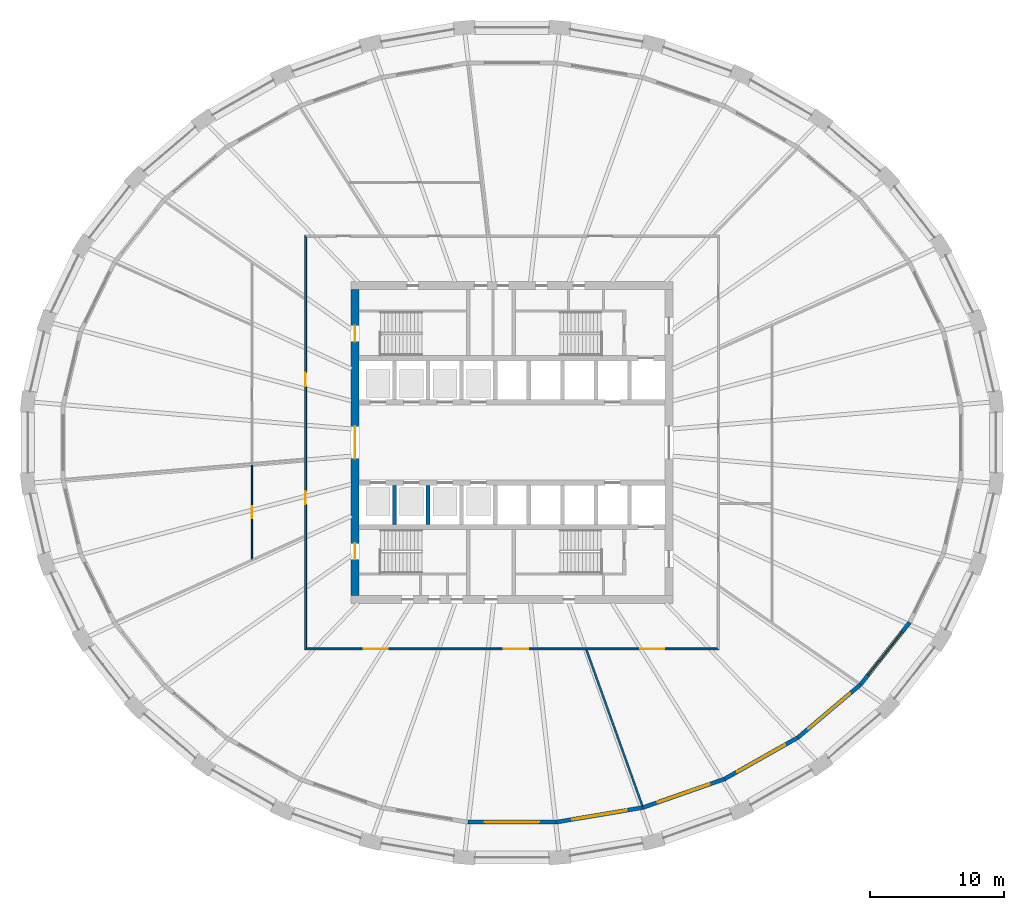
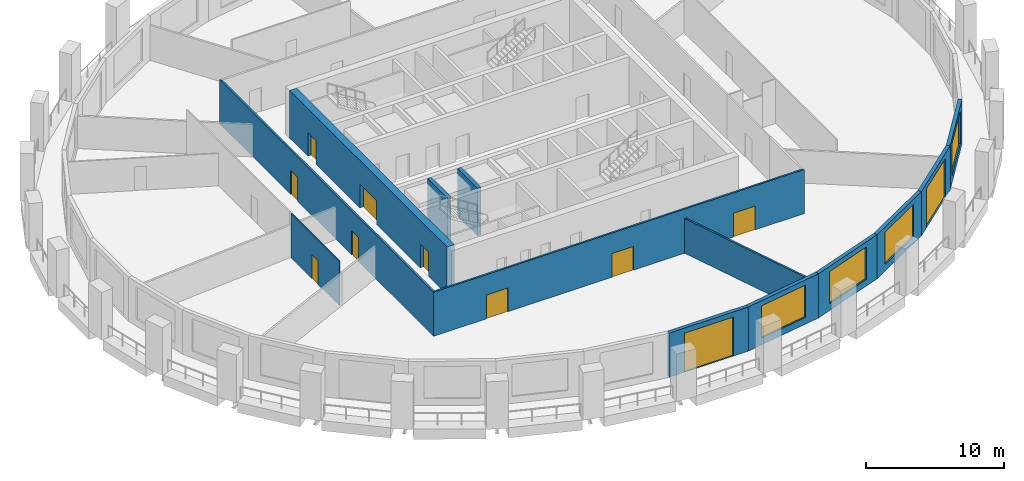
# One storey, part 3 of 10: 13 walls, 11 doors, 4 windows, 15 openings.
"""IFC4 building model written with IfcOpenShell, lengths in metres."""

from ifc_helpers import new_model, si_unit, direction, frame, frame_2d, origin, place, context, subcontext, project, spatial, polyline, rectangle, outline, extrude, material, layer, layer_set, type_object, element, fill, save


model = new_model("IFC4")

# Units and contexts
model_context = context("Model", 3, precision=1e-05, world=origin(), true_north=direction((0.0, 1.0)))
body_context = subcontext(model_context, "Body", "Model", "MODEL_VIEW")
ifc_project = project(units=[si_unit("LENGTHUNIT", "METRE"), si_unit("AREAUNIT", "SQUARE_METRE"), si_unit("VOLUMEUNIT", "CUBIC_METRE"), si_unit("PLANEANGLEUNIT", "RADIAN"), si_unit("MASSUNIT", "GRAM", prefix="KILO")], contexts=[model_context])

# Site, building, storey
site_placement = place(None, origin())
site = spatial("IfcSite", under=ifc_project, at=site_placement, CompositionType="ELEMENT")
building_placement = place(site_placement, origin())
building = spatial("IfcBuilding", under=site, at=building_placement, Name="Halqa Exchange Tower", CompositionType="ELEMENT")
storey_placement = place(building_placement, frame((0.0, 0.0, 90.699951171875)))
storey = spatial("IfcBuildingStorey", under=building, at=storey_placement, Name="L20", CompositionType="ELEMENT", Elevation=90.699951171875)

# Wall, openings, doors
ifc_material_1 = material(Name="Fire-rated gypsum board")
ifc_layer_1 = layer(ifc_material_1, 0.14990234375)
ifc_layer_set_1 = layer_set([ifc_layer_1], Name="Fire-rated gypsum board")
wall_type_1 = type_object("IfcWallType", Name="Fire partition EI 60 150", PredefinedType="PARTITIONING", material=ifc_layer_set_1)
wall_1_placement = place(storey_placement, frame((-15.39990234375, -15.47509765625, 0.0), z_axis=(0.0, 0.0, 1.0), x_axis=(0.0, 1.0, 0.0)))
wall_1 = element("IfcWall", 1, at=wall_1_placement, inside=storey, type_object=wall_type_1, Name="L20-PWL-009", PredefinedType="PARTITIONING", context=body_context, shape_type="SweptSolid", body=[
    extrude(outline(polyline([(0.150146484375, -0.074951171875), (2.065673828125, -0.074951171875), (3.9814453125, -0.074951171875), (5.89697265625, -0.074951171875), (7.8125, -0.074951171875), (9.728271484375, -0.074951171875), (11.643798828125, -0.074951171875), (13.5595703125, -0.074951171875), (15.47509765625, -0.074951171875), (17.390625, -0.074951171875), (19.306396484375, -0.074951171875), (21.221923828125, -0.074951171875), (23.1376953125, -0.074951171875), (25.05322265625, -0.074951171875), (26.96875, -0.074951171875), (28.884521484375, -0.074951171875), (30.800048828125, -0.074951171875), (30.949951171875, 0.074951171875), (29.015625, 0.074951171875), (27.081298828125, 0.074951171875), (25.14697265625, 0.074951171875), (23.21240234375, 0.074951171875), (21.278076171875, 0.074951171875), (19.34375, 0.074951171875), (17.409423828125, 0.074951171875), (15.47509765625, 0.074951171875), (13.540771484375, 0.074951171875), (11.6064453125, 0.074951171875), (9.672119140625, 0.074951171875), (7.73779296875, 0.074951171875), (5.80322265625, 0.074951171875), (3.868896484375, 0.074951171875), (1.9345703125, 0.074951171875), (0.000244140625, 0.074951171875), (0.150146484375, -0.074951171875)])), origin(), (0.0, 0.0, 1.0), 3.900146484375),
])
opening_1_placement = place(wall_1_placement, frame((19.675048828125, 0.0, 0.0)))
opening_1 = element("IfcOpeningElement", 2, at=opening_1_placement, cuts=wall_1, Name="Opening 06-07", PredefinedType="OPENING", context=body_context, shape_type="SweptSolid", body=[
    extrude(rectangle(XDim=1.0, YDim=2.10009765625, at=frame_2d((0.5, 1.050048828125))), frame((0.0, 0.0869140625, 0.0), z_axis=(0.0, -1.0, 0.0), x_axis=(1.0, 0.0, 0.0)), (0.0, 0.0, 1.0), 0.173828125),
])
opening_2_placement = place(wall_1_placement, frame((10.85498046875, 0.0, 0.0)))
opening_2 = element("IfcOpeningElement", 3, at=opening_2_placement, cuts=wall_1, Name="Opening 06-08", PredefinedType="OPENING", context=body_context, shape_type="SweptSolid", body=[
    extrude(rectangle(XDim=1.0, YDim=2.10009765625, at=frame_2d((0.5, 1.050048828125))), frame((0.0, 0.0869140625, 0.0), z_axis=(0.0, -1.0, 0.0), x_axis=(1.0, 0.0, 0.0)), (0.0, 0.0, 1.0), 0.173828125),
])
ifc_material_2 = material(Name="Steel fire door leaf", Category="steel")
door_type_1 = type_object("IfcDoorType", Name="Fire door FD30S 1000 x 2100", OperationType="SINGLE_SWING_LEFT", PredefinedType="DOOR", material=ifc_material_2)
door_1_placement = place(opening_1_placement, origin())
door_1 = element("IfcDoor", 4, at=door_1_placement, inside=storey, type_object=door_type_1, Name="L20-IDR-007", OperationType="SINGLE_SWING_LEFT", OverallHeight=2.10009765625, OverallWidth=1.0, PredefinedType="DOOR", context=body_context, shape_type="SweptSolid", body=[
    extrude(rectangle(XDim=1.0, YDim=2.10009765625, at=frame_2d((0.5, 1.050048828125))), frame((0.0, 0.02490234375, 0.0), z_axis=(0.0, -1.0, 0.0), x_axis=(1.0, 0.0, 0.0)), (0.0, 0.0, 1.0), 0.050048828125),
])
fill(opening_1, door_1)
door_2_placement = place(opening_2_placement, origin())
door_2 = element("IfcDoor", 5, at=door_2_placement, inside=storey, type_object=door_type_1, Name="L20-IDR-008", OperationType="SINGLE_SWING_RIGHT", OverallHeight=2.10009765625, OverallWidth=1.0, PredefinedType="DOOR", context=body_context, shape_type="SweptSolid", body=[
    extrude(rectangle(XDim=1.0, YDim=2.10009765625, at=frame_2d((0.5, 1.050048828125))), frame((0.0, 0.02490234375, 0.0), z_axis=(0.0, -1.0, 0.0), x_axis=(1.0, 0.0, 0.0)), (0.0, 0.0, 1.0), 0.050048828125),
])
fill(opening_2, door_2)

wall_2_placement = place(storey_placement, frame((-15.47509765625, -15.39990234375, 0.0), z_axis=(0.0, 0.0, 1.0), x_axis=(1.0, 0.0, 0.0)))
wall_2 = element("IfcWall", 6, at=wall_2_placement, inside=storey, type_object=wall_type_1, Name="L20-PWL-010", PredefinedType="PARTITIONING", context=body_context, shape_type="SweptSolid", body=[
    extrude(outline(polyline([(0.000244140625, -0.074951171875), (1.9345703125, -0.074951171875), (3.868896484375, -0.074951171875), (5.80322265625, -0.074951171875), (7.73779296875, -0.074951171875), (9.672119140625, -0.074951171875), (11.6064453125, -0.074951171875), (13.540771484375, -0.074951171875), (15.47509765625, -0.074951171875), (17.409423828125, -0.074951171875), (19.34375, -0.074951171875), (21.278076171875, -0.074951171875), (23.21240234375, -0.074951171875), (25.14697265625, -0.074951171875), (27.081298828125, -0.074951171875), (29.015625, -0.074951171875), (30.949951171875, -0.074951171875), (30.800048828125, 0.074951171875), (28.884521484375, 0.074951171875), (26.96875, 0.074951171875), (25.05322265625, 0.074951171875), (23.1376953125, 0.074951171875), (21.221923828125, 0.074951171875), (19.306396484375, 0.074951171875), (17.390625, 0.074951171875), (15.47509765625, 0.074951171875), (13.5595703125, 0.074951171875), (11.643798828125, 0.074951171875), (9.728271484375, 0.074951171875), (7.8125, 0.074951171875), (5.89697265625, 0.074951171875), (3.9814453125, 0.074951171875), (2.065673828125, 0.074951171875), (0.150146484375, 0.074951171875), (0.000244140625, -0.074951171875)])), origin(), (0.0, 0.0, 1.0), 3.900146484375),
])
opening_3_placement = place(wall_2_placement, frame((4.407470703125, 0.0, 0.0)))
opening_3 = element("IfcOpeningElement", 7, at=opening_3_placement, cuts=wall_2, Name="Opening 06-09", PredefinedType="OPENING", context=body_context, shape_type="SweptSolid", body=[
    extrude(rectangle(XDim=1.800048828125, YDim=2.10009765625, at=frame_2d((0.89990234375, 1.050048828125))), frame((0.0, 0.0869140625, 0.0), z_axis=(0.0, -1.0, 0.0), x_axis=(1.0, 0.0, 0.0)), (0.0, 0.0, 1.0), 0.173828125),
])
opening_4_placement = place(wall_2_placement, frame((14.87255859375, 0.0, 0.0)))
opening_4 = element("IfcOpeningElement", 8, at=opening_4_placement, cuts=wall_2, Name="Opening 06-10", PredefinedType="OPENING", context=body_context, shape_type="SweptSolid", body=[
    extrude(rectangle(XDim=1.800048828125, YDim=2.10009765625, at=frame_2d((0.89990234375, 1.050048828125))), frame((0.0, 0.0869140625, 0.0), z_axis=(0.0, -1.0, 0.0), x_axis=(1.0, 0.0, 0.0)), (0.0, 0.0, 1.0), 0.173828125),
])
opening_5_placement = place(wall_2_placement, frame((25.0400390625, 0.0, 0.0)))
opening_5 = element("IfcOpeningElement", 9, at=opening_5_placement, cuts=wall_2, Name="Opening 06-11", PredefinedType="OPENING", context=body_context, shape_type="SweptSolid", body=[
    extrude(rectangle(XDim=1.800048828125, YDim=2.10009765625, at=frame_2d((0.89990234375, 1.050048828125))), frame((0.0, 0.0869140625, 0.0), z_axis=(0.0, -1.0, 0.0), x_axis=(1.0, 0.0, 0.0)), (0.0, 0.0, 1.0), 0.173828125),
])
door_type_2 = type_object("IfcDoorType", Name="Fire door FD30S double 1800 x 2100", OperationType="DOUBLE_DOOR_SINGLE_SWING", PredefinedType="DOOR", material=ifc_material_2)
door_3_placement = place(opening_3_placement, frame((1.800048828125, 0.0, 0.0), z_axis=(0.0, 0.0, 1.0), x_axis=(-1.0, 0.0, 0.0)))
door_3 = element("IfcDoor", 10, at=door_3_placement, inside=storey, type_object=door_type_2, Name="L20-IDR-009", OperationType="DOUBLE_DOOR_SINGLE_SWING", OverallHeight=2.10009765625, OverallWidth=1.800048828125, PredefinedType="DOOR", context=body_context, shape_type="SweptSolid", body=[
    extrude(rectangle(XDim=1.800048828125, YDim=2.10009765625, at=frame_2d((0.89990234375, 1.050048828125))), frame((0.0, 0.02490234375, 0.0), z_axis=(0.0, -1.0, 0.0), x_axis=(1.0, 0.0, 0.0)), (0.0, 0.0, 1.0), 0.050048828125),
])
fill(opening_3, door_3)
door_4_placement = place(opening_4_placement, frame((1.800048828125, 0.0, 0.0), z_axis=(0.0, 0.0, 1.0), x_axis=(-1.0, 0.0, 0.0)))
door_4 = element("IfcDoor", 11, at=door_4_placement, inside=storey, type_object=door_type_2, Name="L20-IDR-010", OperationType="DOUBLE_DOOR_SINGLE_SWING", OverallHeight=2.10009765625, OverallWidth=1.800048828125, PredefinedType="DOOR", context=body_context, shape_type="SweptSolid", body=[
    extrude(rectangle(XDim=1.800048828125, YDim=2.10009765625, at=frame_2d((0.89990234375, 1.050048828125))), frame((0.0, 0.02490234375, 0.0), z_axis=(0.0, -1.0, 0.0), x_axis=(1.0, 0.0, 0.0)), (0.0, 0.0, 1.0), 0.050048828125),
])
fill(opening_4, door_4)
door_5_placement = place(opening_5_placement, frame((1.800048828125, 0.0, 0.0), z_axis=(0.0, 0.0, 1.0), x_axis=(-1.0, 0.0, 0.0)))
door_5 = element("IfcDoor", 12, at=door_5_placement, inside=storey, type_object=door_type_2, Name="L20-IDR-011", OperationType="DOUBLE_DOOR_SINGLE_SWING", OverallHeight=2.10009765625, OverallWidth=1.800048828125, PredefinedType="DOOR", context=body_context, shape_type="SweptSolid", body=[
    extrude(rectangle(XDim=1.800048828125, YDim=2.10009765625, at=frame_2d((0.89990234375, 1.050048828125))), frame((0.0, 0.02490234375, 0.0), z_axis=(0.0, -1.0, 0.0), x_axis=(1.0, 0.0, 0.0)), (0.0, 0.0, 1.0), 0.050048828125),
])
fill(opening_5, door_5)

# Wall
wall_3_placement = place(storey_placement, frame((5.5478515625, -15.449951171875, 0.0), z_axis=(0.0, 0.0, 1.0), x_axis=(0.337393279859, -0.941363784467, 0.0)))
element("IfcWall", 13, at=wall_3_placement, inside=storey, type_object=wall_type_1, Name="L20-PWL-014", PredefinedType="PARTITIONING", context=body_context, shape_type="SweptSolid", body=[
    extrude(outline(polyline([(0.0, -0.074951171875), (1.76416015625, -0.074951171875), (3.528076171875, -0.074951171875), (5.292236328125, -0.074951171875), (7.05615234375, -0.074951171875), (8.8203125, -0.074951171875), (10.584228515625, -0.074951171875), (12.348388671875, -0.074951171875), (12.3623046875, 0.0029296875), (12.36279296875, 0.056640625), (12.36279296875, 0.074951171875), (10.604248046875, 0.074951171875), (8.845947265625, 0.074951171875), (7.08740234375, 0.074951171875), (5.328857421875, 0.074951171875), (3.5703125, 0.074951171875), (1.81201171875, 0.074951171875), (0.053466796875, 0.074951171875), (0.0, -0.07421875), (0.0, -0.074951171875)])), origin(), (0.0, 0.0, 1.0), 3.06005859375),
])

# Wall, opening, door
ifc_material_3 = material(Name="Gypsum board")
ifc_layer_2 = layer(ifc_material_3, 0.10009765625)
ifc_layer_set_2 = layer_set([ifc_layer_2], Name="Gypsum board")
wall_type_2 = type_object("IfcWallType", Name="Partition 100 gypsum", PredefinedType="PARTITIONING", material=ifc_layer_set_2)
wall_4_placement = place(storey_placement, frame((-19.39990234375, -8.7099609375, 0.0), z_axis=(0.0, 0.0, 1.0), x_axis=(0.0, 1.0, 0.0)))
wall_4 = element("IfcWall", 14, at=wall_4_placement, inside=storey, type_object=wall_type_2, Name="L20-PWL-005", PredefinedType="PARTITIONING", context=body_context, shape_type="SweptSolid", body=[
    extrude(outline(polyline([(0.04052734375, -0.050048828125), (0.041259765625, -0.050048828125), (0.04443359375, -0.048583984375), (0.044921875, -0.050048828125), (1.7900390625, -0.050048828125), (3.534912109375, -0.050048828125), (5.280029296875, -0.050048828125), (7.02490234375, -0.050048828125), (7.02490234375, -0.0439453125), (7.01708984375, 0.050048828125), (5.2626953125, 0.050048828125), (3.508544921875, 0.050048828125), (1.754150390625, 0.050048828125), (0.0, 0.050048828125), (0.0, 0.04931640625), (0.044189453125, -0.04833984375), (0.04052734375, -0.050048828125)])), origin(), (0.0, 0.0, 1.0), 3.900146484375),
])
opening_6_placement = place(wall_4_placement, frame((3.074951171875, 0.0, 0.0)))
opening_6 = element("IfcOpeningElement", 15, at=opening_6_placement, cuts=wall_4, Name="Opening 06-16", PredefinedType="OPENING", context=body_context, shape_type="SweptSolid", body=[
    extrude(rectangle(XDim=0.89990234375, YDim=2.10009765625, at=frame_2d((0.449951171875, 1.050048828125))), frame((0.0, 0.06201171875, 0.0), z_axis=(0.0, -1.0, 0.0), x_axis=(1.0, 0.0, 0.0)), (0.0, 0.0, 1.0), 0.1240234375),
])
ifc_material_4 = material(Name="Timber door leaf", Category="wood")
door_type_3 = type_object("IfcDoorType", Name="Door 900 x 2100", OperationType="SINGLE_SWING_LEFT", PredefinedType="DOOR", material=ifc_material_4)
door_6_placement = place(opening_6_placement, frame((0.89990234375, 0.0, 0.0), z_axis=(0.0, 0.0, 1.0), x_axis=(-1.0, 0.0, 0.0)))
door_6 = element("IfcDoor", 16, at=door_6_placement, inside=storey, type_object=door_type_3, Name="L20-IDR-016", OperationType="SINGLE_SWING_LEFT", OverallHeight=2.10009765625, OverallWidth=0.89990234375, PredefinedType="DOOR", context=body_context, shape_type="SweptSolid", body=[
    extrude(rectangle(XDim=0.89990234375, YDim=2.10009765625, at=frame_2d((0.449951171875, 1.050048828125))), frame((0.0, 0.02490234375, 0.0), z_axis=(0.0, -1.0, 0.0), x_axis=(1.0, 0.0, 0.0)), (0.0, 0.0, 1.0), 0.050048828125),
])
fill(opening_6, door_6)

# Walls
ifc_material_5 = material(Name="Concrete C60/75", Category="concrete")
ifc_layer_3 = layer(ifc_material_5, 0.300048828125)
ifc_layer_set_3 = layer_set([ifc_layer_3], Name="Concrete C60/75")
wall_type_3 = type_object("IfcWallType", Name="RC core wall 300", PredefinedType="SHEAR", material=ifc_layer_set_3)
for number, where, z_axis, x_axis, name in (
    (17, (-8.75, -6.10009765625, 0.0), (0.0, 0.0, 1.0), (0.0, 1.0, 0.0), "Shaft divider S1"),
    (18, (-6.25, -6.10009765625, 0.0), (0.0, 0.0, 1.0), (0.0, 1.0, 0.0), "Shaft divider S2"),
):
    element("IfcWall", number, at=place(storey_placement, frame(where, z_axis=z_axis, x_axis=x_axis)), inside=storey, type_object=wall_type_3, Name=name, PredefinedType="SHEAR", context=body_context, shape_type="SweptSolid", body=[
        extrude(rectangle(XDim=2.900146484375, YDim=0.300048828125, at=frame_2d((1.4501953125, 0.0))), origin(), (0.0, 0.0, 1.0), 4.199951171875),
    ])

# Wall, openings, doors
ifc_material_6 = material(Name="Concrete C80/95", Category="concrete")
ifc_layer_4 = layer(ifc_material_6, 0.60009765625)
ifc_layer_set_4 = layer_set([ifc_layer_4], Name="Concrete C80/95")
wall_type_4 = type_object("IfcWallType", Name="RC core wall 600 C80/95", PredefinedType="SHEAR", material=ifc_layer_set_4)
wall_5_placement = place(storey_placement, frame((-11.699951171875, -11.39990234375, 0.0), z_axis=(0.0, 0.0, 1.0), x_axis=(0.0, 1.0, 0.0)))
wall_5 = element("IfcWall", 19, at=wall_5_placement, inside=storey, type_object=wall_type_4, Name="Core wall west", PredefinedType="SHEAR", context=body_context, shape_type="SweptSolid", body=[
    extrude(rectangle(XDim=22.7998046875, YDim=0.60009765625, at=frame_2d((11.39990234375, 0.0))), origin(), (0.0, 0.0, 1.0), 4.199951171875),
])
opening_7_placement = place(wall_5_placement, frame((10.199951171875, 0.0, 0.0)))
opening_7 = element("IfcOpeningElement", 20, at=opening_7_placement, cuts=wall_5, Name="Opening T06-C13", PredefinedType="OPENING", context=body_context, shape_type="SweptSolid", body=[
    extrude(rectangle(XDim=2.39990234375, YDim=2.10009765625, at=frame_2d((1.199951171875, 1.050048828125))), frame((0.0, 0.31201171875, 0.0), z_axis=(0.0, -1.0, 0.0), x_axis=(1.0, 0.0, 0.0)), (0.0, 0.0, 1.0), 0.6240234375),
])
opening_8_placement = place(wall_5_placement, frame((18.925048828125, 0.0, 0.0)))
opening_8 = element("IfcOpeningElement", 21, at=opening_8_placement, cuts=wall_5, Name="Opening T06-C15", PredefinedType="OPENING", context=body_context, shape_type="SweptSolid", body=[
    extrude(rectangle(XDim=1.199951171875, YDim=2.10009765625, at=frame_2d((0.60009765625, 1.050048828125))), frame((0.0, 0.31201171875, 0.0), z_axis=(0.0, -1.0, 0.0), x_axis=(1.0, 0.0, 0.0)), (0.0, 0.0, 1.0), 0.6240234375),
])
opening_9_placement = place(wall_5_placement, frame((2.675048828125, 0.0, 0.0)))
opening_9 = element("IfcOpeningElement", 22, at=opening_9_placement, cuts=wall_5, Name="Opening T06-C17", PredefinedType="OPENING", context=body_context, shape_type="SweptSolid", body=[
    extrude(rectangle(XDim=1.199951171875, YDim=2.10009765625, at=frame_2d((0.60009765625, 1.050048828125))), frame((0.0, 0.31201171875, 0.0), z_axis=(0.0, -1.0, 0.0), x_axis=(1.0, 0.0, 0.0)), (0.0, 0.0, 1.0), 0.6240234375),
])
door_type_4 = type_object("IfcDoorType", Name="Lobby double door FD60 2400 x 2100", OperationType="DOUBLE_DOOR_SINGLE_SWING", PredefinedType="DOOR", material=ifc_material_2)
door_7_placement = place(opening_7_placement, frame((2.39990234375, 0.0, 0.0), z_axis=(0.0, 0.0, 1.0), x_axis=(-1.0, 0.0, 0.0)))
door_7 = element("IfcDoor", 23, at=door_7_placement, inside=storey, type_object=door_type_4, Name="Lift lobby double door", OperationType="DOUBLE_DOOR_SINGLE_SWING", OverallHeight=2.10009765625, OverallWidth=2.39990234375, PredefinedType="DOOR", context=body_context, shape_type="SweptSolid", body=[
    extrude(rectangle(XDim=2.39990234375, YDim=2.10009765625, at=frame_2d((1.199951171875, 1.050048828125))), frame((0.0, 0.02490234375, 0.0), z_axis=(0.0, -1.0, 0.0), x_axis=(1.0, 0.0, 0.0)), (0.0, 0.0, 1.0), 0.050048828125),
])
fill(opening_7, door_7)
door_type_5 = type_object("IfcDoorType", Name="Stair door FD90 1200 x 2100", OperationType="SINGLE_SWING_LEFT", PredefinedType="DOOR", material=ifc_material_2)
door_8_placement = place(opening_8_placement, frame((1.199951171875, 0.0, 0.0), z_axis=(0.0, 0.0, 1.0), x_axis=(-1.0, 0.0, 0.0)))
door_8 = element("IfcDoor", 24, at=door_8_placement, inside=storey, type_object=door_type_5, Name="Stair door ST1", OperationType="SINGLE_SWING_LEFT", OverallHeight=2.10009765625, OverallWidth=1.199951171875, PredefinedType="DOOR", context=body_context, shape_type="SweptSolid", body=[
    extrude(rectangle(XDim=1.199951171875, YDim=2.10009765625, at=frame_2d((0.60009765625, 1.050048828125))), frame((0.0, 0.02490234375, 0.0), z_axis=(0.0, -1.0, 0.0), x_axis=(1.0, 0.0, 0.0)), (0.0, 0.0, 1.0), 0.050048828125),
])
fill(opening_8, door_8)
door_9_placement = place(opening_9_placement, frame((1.199951171875, 0.0, 0.0), z_axis=(0.0, 0.0, 1.0), x_axis=(-1.0, 0.0, 0.0)))
door_9 = element("IfcDoor", 25, at=door_9_placement, inside=storey, type_object=door_type_5, Name="Stair door ST3", OperationType="SINGLE_SWING_LEFT", OverallHeight=2.10009765625, OverallWidth=1.199951171875, PredefinedType="DOOR", context=body_context, shape_type="SweptSolid", body=[
    extrude(rectangle(XDim=1.199951171875, YDim=2.10009765625, at=frame_2d((0.60009765625, 1.050048828125))), frame((0.0, 0.02490234375, 0.0), z_axis=(0.0, -1.0, 0.0), x_axis=(1.0, 0.0, 0.0)), (0.0, 0.0, 1.0), 0.050048828125),
])
fill(opening_9, door_9)

# Wall, opening, door
ifc_material_7 = material(Name="Limestone cladding", Category="masonry")
ifc_layer_5 = layer(ifc_material_7, 0.0400390625)
ifc_material_8 = material(Name="Ventilated cavity")
ifc_layer_6 = layer(ifc_material_8, 0.030029296875, ventilated=True)
ifc_material_9 = material(Name="Mineral wool insulation")
ifc_layer_7 = layer(ifc_material_9, 0.10009765625)
ifc_material_10 = material(Name="Concrete C30/37", Category="concrete")
ifc_layer_8 = layer(ifc_material_10, 0.10009765625)
ifc_material_11 = material(Name="Internal plaster")
ifc_layer_9 = layer(ifc_material_11, 0.030029296875)
ifc_layer_set_5 = layer_set([ifc_layer_5, ifc_layer_6, ifc_layer_7, ifc_layer_8, ifc_layer_9], Name="Stone-faced insulated wall 300")
wall_type_5 = type_object("IfcWallType", Name="Stone-faced insulated wall 300", PredefinedType="STANDARD", material=ifc_layer_set_5)
wall_6_placement = place(storey_placement, frame((-3.294921875, -28.319091796875, 0.0), z_axis=(0.0, 0.0, 1.0), x_axis=(1.0, 0.0, 0.0)))
wall_6 = element("IfcWall", 26, at=wall_6_placement, inside=storey, type_object=wall_type_5, Name="Glass-line wall 24", PredefinedType="STANDARD", context=body_context, shape_type="SweptSolid", body=[
    extrude(outline(polyline([(-0.012451171875, -0.14990234375), (6.602294921875, -0.14990234375), (6.577392578125, 0.14990234375), (0.012451171875, 0.14990234375), (-0.012451171875, -0.14990234375)])), origin(), (0.0, 0.0, 1.0), 3.900146484375),
])
opening_10_placement = place(wall_6_placement, frame((1.2451171875, 0.0, 0.0)))
opening_10 = element("IfcOpeningElement", 27, at=opening_10_placement, cuts=wall_6, Name="Opening LG-F1-06", PredefinedType="OPENING", context=body_context, shape_type="SweptSolid", body=[
    extrude(rectangle(XDim=4.10009765625, YDim=3.449951171875, at=frame_2d((2.050048828125, 1.72509765625))), frame((0.0, 0.162109375, 0.0), z_axis=(0.0, -1.0, 0.0), x_axis=(1.0, 0.0, 0.0)), (0.0, 0.0, 1.0), 0.323974609375),
])
ifc_material_12 = material(Name="Clear low-emissivity glass in aluminium frame", Category="aluminium")
door_type_6 = type_object("IfcDoorType", Name="Glazed sliding loggia door 4100 x 3450", OperationType="DOUBLE_DOOR_SLIDING", PredefinedType="DOOR", material=ifc_material_12)
door_10_placement = place(opening_10_placement, origin())
door_10 = element("IfcDoor", 28, at=door_10_placement, inside=storey, type_object=door_type_6, Name="Loggia door 6", OperationType="DOUBLE_DOOR_SLIDING", OverallHeight=3.449951171875, OverallWidth=4.10009765625, PredefinedType="DOOR", context=body_context, shape_type="SweptSolid", body=[
    extrude(rectangle(XDim=4.10009765625, YDim=3.449951171875, at=frame_2d((2.050048828125, 1.72509765625))), frame((0.0, 0.02490234375, 0.0), z_axis=(0.0, -1.0, 0.0), x_axis=(1.0, 0.0, 0.0)), (0.0, 0.0, 1.0), 0.050048828125),
])
fill(opening_10, door_10)

# Wall, opening, window
wall_7_placement = place(storey_placement, frame((3.294921875, -28.319091796875, 0.0), z_axis=(0.0, 0.0, 1.0), x_axis=(0.986162431544, 0.165781961053, 0.0)))
wall_7 = element("IfcWall", 29, at=wall_7_placement, inside=storey, type_object=wall_type_5, Name="Glass-line wall 25", PredefinedType="STANDARD", context=body_context, shape_type="SweptSolid", body=[
    extrude(outline(polyline([(-0.012451171875, -0.14990234375), (6.567626953125, -0.14990234375), (6.542236328125, 0.14990234375), (0.012451171875, 0.14990234375), (-0.012451171875, -0.14990234375)])), origin(), (0.0, 0.0, 1.0), 3.900146484375),
])
opening_11_placement = place(wall_7_placement, frame((1.227294921875, 0.0, 0.60009765625)))
opening_11 = element("IfcOpeningElement", 30, at=opening_11_placement, cuts=wall_7, Name="Opening W-F1-25", PredefinedType="OPENING", context=body_context, shape_type="SweptSolid", body=[
    extrude(rectangle(XDim=4.10009765625, YDim=2.85009765625, at=frame_2d((2.050048828125, 1.425048828125))), frame((0.0, 0.162109375, 0.0), z_axis=(0.0, -1.0, 0.0), x_axis=(1.0, 0.0, 0.0)), (0.0, 0.0, 1.0), 0.323974609375),
])
window_type = type_object("IfcWindowType", Name="Fixed clear glazed window 4100 x 2850", PartitioningType="TRIPLE_PANEL_VERTICAL", PredefinedType="WINDOW", material=ifc_material_12)
window_1_placement = place(opening_11_placement, origin())
window_1 = element("IfcWindow", 31, at=window_1_placement, inside=storey, type_object=window_type, Name="Window 1", OverallHeight=2.85009765625, OverallWidth=4.10009765625, PartitioningType="TRIPLE_PANEL_VERTICAL", PredefinedType="WINDOW", context=body_context, shape_type="SweptSolid", body=[
    extrude(rectangle(XDim=4.10009765625, YDim=2.85009765625, at=frame_2d((2.050048828125, 1.425048828125))), frame((0.0, 0.030029296875, 0.0), z_axis=(0.0, -1.0, 0.0), x_axis=(1.0, 0.0, 0.0)), (0.0, 0.0, 1.0), 0.06005859375),
])
fill(opening_11, window_1)

wall_8_placement = place(storey_placement, frame((9.759033203125, -27.232421875, 0.0), z_axis=(0.0, 0.0, 1.0), x_axis=(0.943820008365, 0.330459970057, 0.0)))
wall_8 = element("IfcWall", 32, at=wall_8_placement, inside=storey, type_object=wall_type_5, Name="Glass-line wall 26", PredefinedType="STANDARD", context=body_context, shape_type="SweptSolid", body=[
    extrude(outline(polyline([(-0.0126953125, -0.14990234375), (6.466064453125, -0.14990234375), (6.439208984375, 0.14990234375), (0.0126953125, 0.14990234375), (-0.0126953125, -0.14990234375)])), origin(), (0.0, 0.0, 1.0), 3.900146484375),
])
opening_12_placement = place(wall_8_placement, frame((1.17626953125, 0.0, 0.60009765625)))
opening_12 = element("IfcOpeningElement", 33, at=opening_12_placement, cuts=wall_8, Name="Opening W-F1-26", PredefinedType="OPENING", context=body_context, shape_type="SweptSolid", body=[
    extrude(rectangle(XDim=4.10009765625, YDim=2.85009765625, at=frame_2d((2.050048828125, 1.425048828125))), frame((0.0, 0.162109375, 0.0), z_axis=(0.0, -1.0, 0.0), x_axis=(1.0, 0.0, 0.0)), (0.0, 0.0, 1.0), 0.323974609375),
])
window_2_placement = place(opening_12_placement, origin())
window_2 = element("IfcWindow", 34, at=window_2_placement, inside=storey, type_object=window_type, Name="Window 1", OverallHeight=2.85009765625, OverallWidth=4.10009765625, PartitioningType="TRIPLE_PANEL_VERTICAL", PredefinedType="WINDOW", context=body_context, shape_type="SweptSolid", body=[
    extrude(rectangle(XDim=4.10009765625, YDim=2.85009765625, at=frame_2d((2.050048828125, 1.425048828125))), frame((0.0, 0.030029296875, 0.0), z_axis=(0.0, -1.0, 0.0), x_axis=(1.0, 0.0, 0.0)), (0.0, 0.0, 1.0), 0.06005859375),
])
fill(opening_12, window_2)

wall_9_placement = place(storey_placement, frame((15.84912109375, -25.10009765625, 0.0), z_axis=(0.0, 0.0, 1.0), x_axis=(0.870737550302, 0.491748023376, 0.0)))
wall_9 = element("IfcWall", 35, at=wall_9_placement, inside=storey, type_object=wall_type_5, Name="Glass-line wall 27", PredefinedType="STANDARD", context=body_context, shape_type="SweptSolid", body=[
    extrude(outline(polyline([(-0.013427734375, -0.14990234375), (6.310546875, -0.14990234375), (6.2822265625, 0.14990234375), (0.013427734375, 0.14990234375), (-0.013427734375, -0.14990234375)])), origin(), (0.0, 0.0, 1.0), 3.900146484375),
])
opening_13_placement = place(wall_9_placement, frame((1.09814453125, 0.0, 0.60009765625)))
opening_13 = element("IfcOpeningElement", 36, at=opening_13_placement, cuts=wall_9, Name="Opening W-F1-27", PredefinedType="OPENING", context=body_context, shape_type="SweptSolid", body=[
    extrude(rectangle(XDim=4.10009765625, YDim=2.85009765625, at=frame_2d((2.050048828125, 1.425048828125))), frame((0.0, 0.162109375, 0.0), z_axis=(0.0, -1.0, 0.0), x_axis=(1.0, 0.0, 0.0)), (0.0, 0.0, 1.0), 0.323974609375),
])
window_3_placement = place(opening_13_placement, origin())
window_3 = element("IfcWindow", 37, at=window_3_placement, inside=storey, type_object=window_type, Name="Window 1", OverallHeight=2.85009765625, OverallWidth=4.10009765625, PartitioningType="TRIPLE_PANEL_VERTICAL", PredefinedType="WINDOW", context=body_context, shape_type="SweptSolid", body=[
    extrude(rectangle(XDim=4.10009765625, YDim=2.85009765625, at=frame_2d((2.050048828125, 1.425048828125))), frame((0.0, 0.030029296875, 0.0), z_axis=(0.0, -1.0, 0.0), x_axis=(1.0, 0.0, 0.0)), (0.0, 0.0, 1.0), 0.06005859375),
])
fill(opening_13, window_3)

# Wall, opening, door
wall_10_placement = place(storey_placement, frame((21.33154296875, -22.00390625, 0.0), z_axis=(0.0, 0.0, 1.0), x_axis=(0.763753100684, 0.645508482667, 0.0)))
wall_10 = element("IfcWall", 38, at=wall_10_placement, inside=storey, type_object=wall_type_5, Name="Glass-line wall 28", PredefinedType="STANDARD", context=body_context, shape_type="SweptSolid", body=[
    extrude(outline(polyline([(-0.01416015625, -0.14990234375), (6.12255859375, -0.14990234375), (6.09228515625, 0.14990234375), (0.01416015625, 0.14990234375), (-0.01416015625, -0.14990234375)])), origin(), (0.0, 0.0, 1.0), 3.900146484375),
])
opening_14_placement = place(wall_10_placement, frame((1.003662109375, 0.0, 0.0)))
opening_14 = element("IfcOpeningElement", 39, at=opening_14_placement, cuts=wall_10, Name="Opening LG-F1-07", PredefinedType="OPENING", context=body_context, shape_type="SweptSolid", body=[
    extrude(rectangle(XDim=4.10009765625, YDim=3.449951171875, at=frame_2d((2.050048828125, 1.72509765625))), frame((0.0, 0.162109375, 0.0), z_axis=(0.0, -1.0, 0.0), x_axis=(1.0, 0.0, 0.0)), (0.0, 0.0, 1.0), 0.323974609375),
])
door_11_placement = place(opening_14_placement, origin())
door_11 = element("IfcDoor", 40, at=door_11_placement, inside=storey, type_object=door_type_6, Name="Loggia door 7", OperationType="DOUBLE_DOOR_SLIDING", OverallHeight=3.449951171875, OverallWidth=4.10009765625, PredefinedType="DOOR", context=body_context, shape_type="SweptSolid", body=[
    extrude(rectangle(XDim=4.10009765625, YDim=3.449951171875, at=frame_2d((2.050048828125, 1.72509765625))), frame((0.0, 0.02490234375, 0.0), z_axis=(0.0, -1.0, 0.0), x_axis=(1.0, 0.0, 0.0)), (0.0, 0.0, 1.0), 0.050048828125),
])
fill(opening_14, door_11)

# Wall, opening, window
wall_11_placement = place(storey_placement, frame((25.99609375, -18.0615234375, 0.0), z_axis=(0.0, 0.0, 1.0), x_axis=(0.620142219764, 0.784489405452, 0.0)))
wall_11 = element("IfcWall", 41, at=wall_11_placement, inside=storey, type_object=wall_type_5, Name="Glass-line wall 29", PredefinedType="STANDARD", context=body_context, shape_type="SweptSolid", body=[
    extrude(outline(polyline([(-0.01513671875, -0.14990234375), (5.928466796875, -0.14990234375), (5.896240234375, 0.14990234375), (0.01513671875, 0.14990234375), (-0.01513671875, -0.14990234375)])), origin(), (0.0, 0.0, 1.0), 3.900146484375),
])
opening_15_placement = place(wall_11_placement, frame((0.90625, 0.0, 0.60009765625)))
opening_15 = element("IfcOpeningElement", 42, at=opening_15_placement, cuts=wall_11, Name="Opening W-F1-29", PredefinedType="OPENING", context=body_context, shape_type="SweptSolid", body=[
    extrude(rectangle(XDim=4.10009765625, YDim=2.85009765625, at=frame_2d((2.050048828125, 1.425048828125))), frame((0.0, 0.162109375, 0.0), z_axis=(0.0, -1.0, 0.0), x_axis=(1.0, 0.0, 0.0)), (0.0, 0.0, 1.0), 0.323974609375),
])
window_4_placement = place(opening_15_placement, origin())
window_4 = element("IfcWindow", 43, at=window_4_placement, inside=storey, type_object=window_type, Name="Window 1", OverallHeight=2.85009765625, OverallWidth=4.10009765625, PartitioningType="TRIPLE_PANEL_VERTICAL", PredefinedType="WINDOW", context=body_context, shape_type="SweptSolid", body=[
    extrude(rectangle(XDim=4.10009765625, YDim=2.85009765625, at=frame_2d((2.050048828125, 1.425048828125))), frame((0.0, 0.030029296875, 0.0), z_axis=(0.0, -1.0, 0.0), x_axis=(1.0, 0.0, 0.0)), (0.0, 0.0, 1.0), 0.06005859375),
])
fill(opening_15, window_4)

save(model, "model.ifc")
